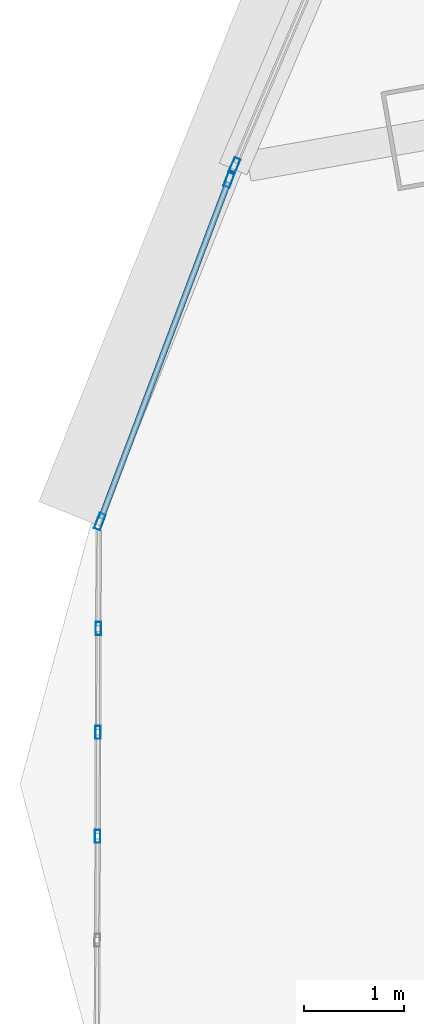
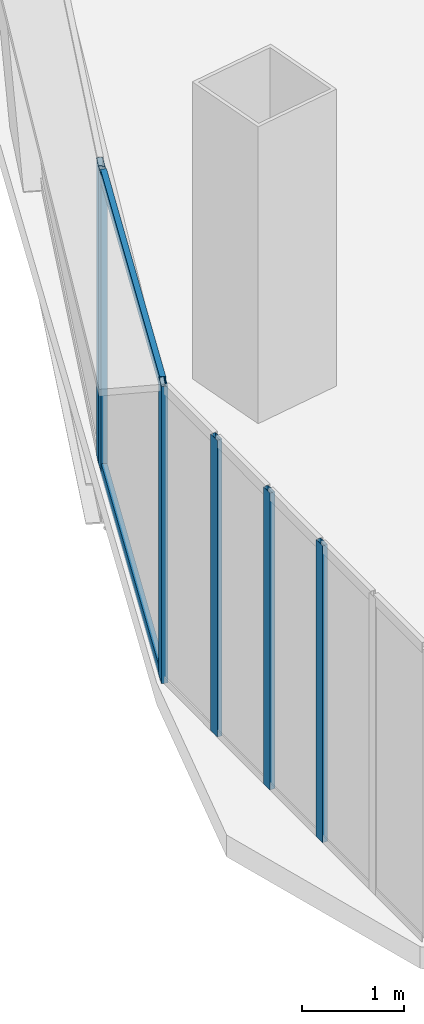
# One storey, part 4 of 39: 8 members, 3 elements without a shape of their own.
"""IFC4 building model written with IfcOpenShell, lengths in metres."""

from ifc_helpers import new_model, si_unit, direction, frame, origin, origin_2d, place, context, subcontext, project, spatial, hollow_rectangle, extrude, source, transform, mapped, material, layer, layer_set, material_profile, profile_set, type_object, element, aggregate, save


model = new_model("IFC4")

# Units and contexts
model_context = context("Model", 3, precision=1e-05, world=origin(), true_north=direction((0.0, 1.0)))
body_context = subcontext(model_context, "Body", "Model", "MODEL_VIEW")
ifc_project = project(units=[si_unit("LENGTHUNIT", "METRE"), si_unit("AREAUNIT", "SQUARE_METRE"), si_unit("VOLUMEUNIT", "CUBIC_METRE"), si_unit("PLANEANGLEUNIT", "RADIAN"), si_unit("MASSUNIT", "GRAM", prefix="KILO"), si_unit("THERMODYNAMICTEMPERATUREUNIT", "KELVIN"), si_unit("POWERUNIT", "WATT")], contexts=[model_context])

# Site, building, storey
site_placement = place(None, origin())
site = spatial("IfcSite", under=ifc_project, at=site_placement, CompositionType="ELEMENT")
building_placement = place(site_placement, origin())
building = spatial("IfcBuilding", under=site, at=building_placement, Name="Yunzhuo Pagoda Commons", CompositionType="ELEMENT")
storey_placement = place(building_placement, frame((0.0, 0.0, 100.179931640625)))
storey = spatial("IfcBuildingStorey", under=building, at=storey_placement, Name="L25", CompositionType="ELEMENT", Elevation=100.179931640625)

# Curtain wall, member
ifc_material = material(Name="Anodized aluminium 6063-T6", Category="aluminium")
ifc_layer_1 = layer(ifc_material, 0.1650390625)
ifc_layer_set_1 = layer_set([ifc_layer_1], Name="Anodized aluminium 6063-T6")
curtain_wall_type_1 = type_object("IfcCurtainWallType", Name="CW-LOW Low-Zone Ribbon Curtain Wall", PredefinedType="NOTDEFINED", material=ifc_layer_set_1)
curtain_wall_1_placement = place(storey_placement, origin())
curtain_wall_1 = element("IfcCurtainWall", 1, at=curtain_wall_1_placement, inside=storey, type_object=curtain_wall_type_1, Name="L25 curtain wall CW-L25-F3B4", PredefinedType="NOTDEFINED")
ifc_material_profile_1 = material_profile(ifc_material, hollow_rectangle(XDim=0.06494140625, YDim=0.1650390625, WallThickness=0.00390625, at=origin_2d()), Name="Anodized aluminium 6063-T6")
ifc_profile_set_1 = profile_set([ifc_material_profile_1], Name="Anodized aluminium 6063-T6")
member_type_1 = type_object("IfcMemberType", Name="CW-LOW-M Mullion RHS 165x65x4", PredefinedType="MULLION", material=ifc_profile_set_1)
shared_shape_1 = source(origin(), body_context, "Body", "SweptSolid", [
    extrude(hollow_rectangle(XDim=0.06494140625, YDim=0.1650390625, WallThickness=0.00390625, at=origin_2d()), origin(), (0.0, 0.0, 1.0), 3.5400390625),
])
member_1_placement = place(storey_placement, frame((7.60888671875, 26.60546875, 0.0), z_axis=(0.0, 0.0, 1.0), x_axis=(0.919382894415, -0.393363818185, 0.0)))
member_1 = element("IfcMember", 2, at=member_1_placement, type_object=member_type_1, Name="CW mullion 2", PredefinedType="MULLION", context=body_context, shape_type="MappedRepresentation", body=[
    mapped(shared_shape_1, transform((0.0, 0.0, 0.0), scale=1.0)),
])
aggregate(curtain_wall_1, [member_1])

# Curtain wall, members
curtain_wall_2_placement = place(storey_placement, origin())
curtain_wall_2 = element("IfcCurtainWall", 3, at=curtain_wall_2_placement, inside=storey, type_object=curtain_wall_type_1, Name="L25 curtain wall CW-L25-F3B5", PredefinedType="NOTDEFINED")
member_2_placement = place(storey_placement, frame((7.558349609375, 26.47509765625, 0.0), z_axis=(0.0, 0.0, 1.0), x_axis=(0.935454086355, -0.353448231461, 0.0)))
member_2 = element("IfcMember", 4, at=member_2_placement, type_object=member_type_1, Name="CW mullion 1", PredefinedType="MULLION", context=body_context, shape_type="MappedRepresentation", body=[
    mapped(shared_shape_1, transform((0.0, 0.0, 0.0), scale=1.0)),
])
member_3_placement = place(storey_placement, frame((6.268798828125, 23.062744140625, 0.0), z_axis=(0.0, 0.0, 1.0), x_axis=(0.935454086355, -0.353448231461, 0.0)))
member_3 = element("IfcMember", 5, at=member_3_placement, type_object=member_type_1, Name="CW mullion 2", PredefinedType="MULLION", context=body_context, shape_type="MappedRepresentation", body=[
    mapped(shared_shape_1, transform((0.0, 0.0, 0.0), scale=1.0)),
])
ifc_material_profile_2 = material_profile(ifc_material, hollow_rectangle(XDim=0.06005859375, YDim=0.139892578125, WallThickness=0.00341796875, at=origin_2d()), Name="Anodized aluminium 6063-T6")
ifc_profile_set_2 = profile_set([ifc_material_profile_2], Name="Anodized aluminium 6063-T6")
member_type_2 = type_object("IfcMemberType", Name="CW-LOW-T Transom RHS 140x60x3.5", PredefinedType="USERDEFINED", material=ifc_profile_set_2)
shared_shape_2 = source(origin(), body_context, "Body", "SweptSolid", [
    extrude(hollow_rectangle(XDim=0.06005859375, YDim=0.139892578125, WallThickness=0.00341796875, at=origin_2d()), origin(), (0.0, 0.0, 1.0), 3.582763671875),
])
member_4_placement = place(storey_placement, frame((7.546630859375, 26.444580078125, 0.030029296875), z_axis=(-0.353452248865, -0.935452568425, 0.0), x_axis=(0.935452568425, -0.353452248865, 0.0)))
member_4 = element("IfcMember", 6, at=member_4_placement, type_object=member_type_2, Name="CW transom 1.1", ObjectType="TRANSOM", PredefinedType="USERDEFINED", context=body_context, shape_type="MappedRepresentation", body=[
    mapped(shared_shape_2, transform((0.0, 0.0, 0.0), scale=1.0)),
])
member_5_placement = place(storey_placement, frame((7.546630859375, 26.444580078125, 3.510009765625), z_axis=(-0.353452248865, -0.935452568425, 0.0), x_axis=(0.935452568425, -0.353452248865, 0.0)))
member_5 = element("IfcMember", 7, at=member_5_placement, type_object=member_type_2, Name="CW transom 1.2", ObjectType="TRANSOM", PredefinedType="USERDEFINED", context=body_context, shape_type="MappedRepresentation", body=[
    mapped(shared_shape_2, transform((0.0, 0.0, 0.0), scale=1.0)),
])
aggregate(curtain_wall_2, [member_2, member_3, member_4, member_5])

ifc_layer_2 = layer(ifc_material, 0.1298828125)
ifc_layer_set_2 = layer_set([ifc_layer_2], Name="Anodized aluminium 6063-T6")
curtain_wall_type_2 = type_object("IfcCurtainWallType", Name="CW-VTX Rounded Corner Curtain Wall", PredefinedType="NOTDEFINED", material=ifc_layer_set_2)
curtain_wall_3_placement = place(storey_placement, origin())
curtain_wall_3 = element("IfcCurtainWall", 8, at=curtain_wall_3_placement, inside=storey, type_object=curtain_wall_type_2, Name="L25 curtain wall CW-L25-VTX1S1", PredefinedType="NOTDEFINED")
ifc_material_profile_3 = material_profile(ifc_material, hollow_rectangle(XDim=0.054931640625, YDim=0.1298828125, WallThickness=0.00341796875, at=origin_2d()), Name="Anodized aluminium 6063-T6")
ifc_profile_set_3 = profile_set([ifc_material_profile_3], Name="Anodized aluminium 6063-T6")
member_type_3 = type_object("IfcMemberType", Name="CW-VTX-M Mullion RHS 130x55x3.5", PredefinedType="MULLION", material=ifc_profile_set_3)
shared_shape_3 = source(origin(), body_context, "Body", "SweptSolid", [
    extrude(hollow_rectangle(XDim=0.054931640625, YDim=0.1298828125, WallThickness=0.00341796875, at=origin_2d()), origin(), (0.0, 0.0, 1.0), 3.5400390625),
])
member_6_placement = place(storey_placement, frame((6.253662109375, 21.996826171875, 0.0), z_axis=(0.0, 0.0, 1.0), x_axis=(0.999993616843, -0.003572992237, 0.0)))
member_6 = element("IfcMember", 9, at=member_6_placement, type_object=member_type_3, Name="CW mullion 2", PredefinedType="MULLION", context=body_context, shape_type="MappedRepresentation", body=[
    mapped(shared_shape_3, transform((0.0, 0.0, 0.0), scale=1.0)),
])
member_7_placement = place(storey_placement, frame((6.25, 20.961181640625, 0.0), z_axis=(0.0, 0.0, 1.0), x_axis=(0.999993616843, -0.003572992237, 0.0)))
member_7 = element("IfcMember", 10, at=member_7_placement, type_object=member_type_3, Name="CW mullion 3", PredefinedType="MULLION", context=body_context, shape_type="MappedRepresentation", body=[
    mapped(shared_shape_3, transform((0.0, 0.0, 0.0), scale=1.0)),
])
member_8_placement = place(storey_placement, frame((6.24609375, 19.92578125, 0.0), z_axis=(0.0, 0.0, 1.0), x_axis=(0.999993616843, -0.003572992237, 0.0)))
member_8 = element("IfcMember", 11, at=member_8_placement, type_object=member_type_3, Name="CW mullion 4", PredefinedType="MULLION", context=body_context, shape_type="MappedRepresentation", body=[
    mapped(shared_shape_3, transform((0.0, 0.0, 0.0), scale=1.0)),
])
aggregate(curtain_wall_3, [member_6, member_7, member_8])

save(model, "model.ifc")
